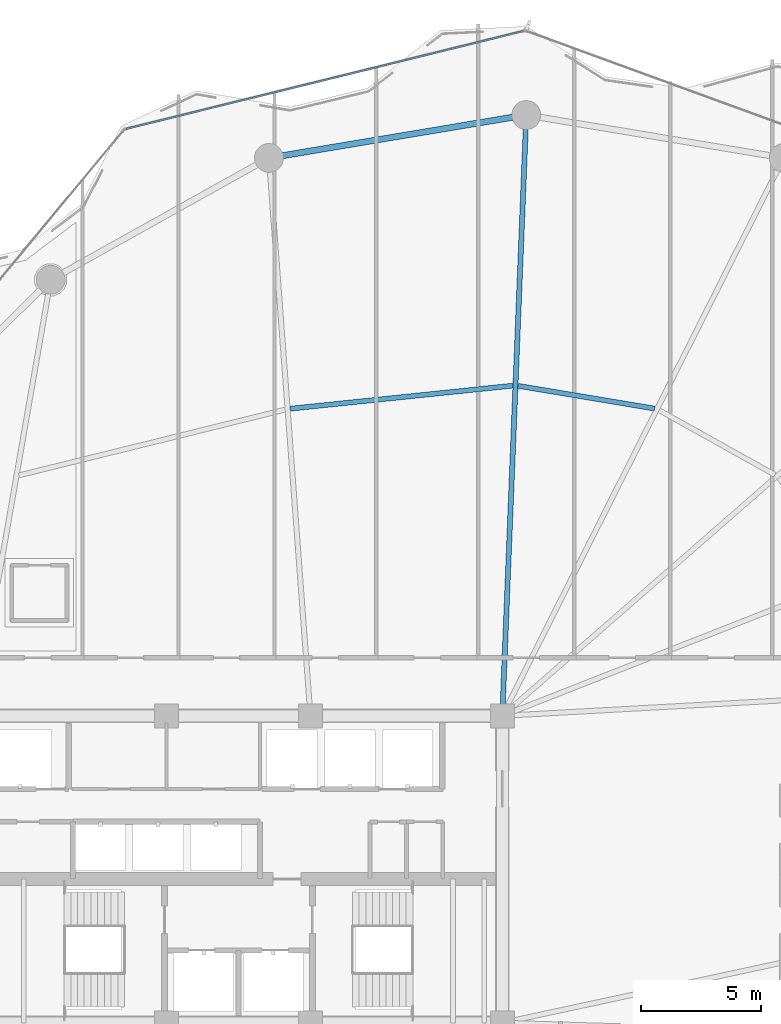
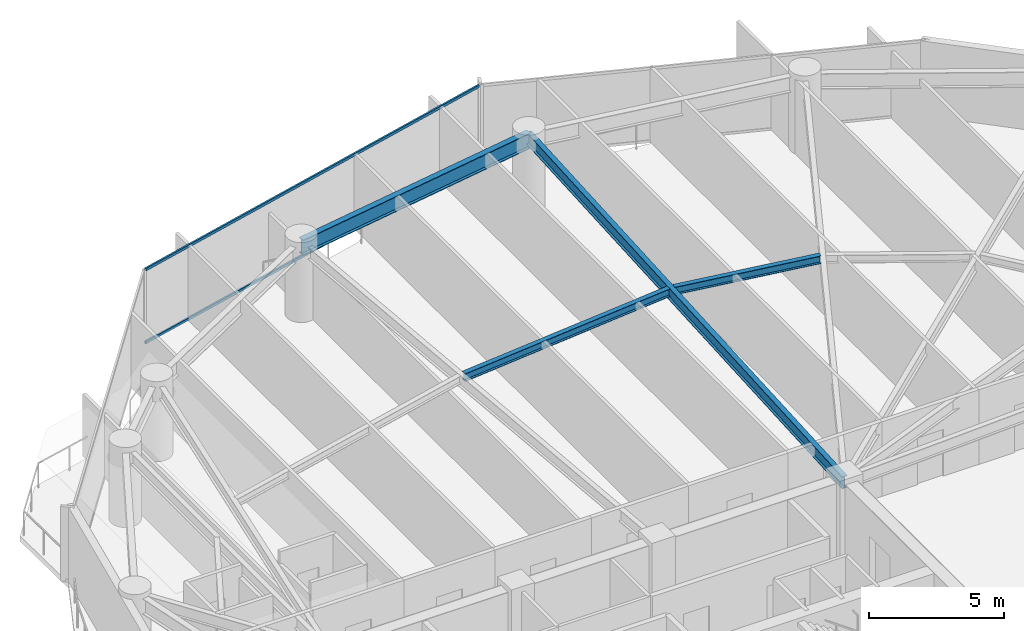
# One storey, part 18 of 28: 4 beams, 2 members, 1 element without a shape of its own.
"""IFC4 building model written with IfcOpenShell, lengths in metres."""

from ifc_helpers import new_model, si_unit, direction, frame, origin, origin_2d, place, context, subcontext, project, spatial, hollow_rectangle, i_section, extrude, material, layer, layer_set, material_profile, profile_set, type_object, element, aggregate, save


model = new_model("IFC4")

# Units and contexts
model_context = context("Model", 3, precision=1e-05, world=origin(), true_north=direction((0.0, 1.0)))
body_context = subcontext(model_context, "Body", "Model", "MODEL_VIEW")
ifc_project = project(units=[si_unit("LENGTHUNIT", "METRE"), si_unit("AREAUNIT", "SQUARE_METRE"), si_unit("VOLUMEUNIT", "CUBIC_METRE"), si_unit("PLANEANGLEUNIT", "RADIAN"), si_unit("MASSUNIT", "GRAM", prefix="KILO")], contexts=[model_context])

# Site, building, storey
site_placement = place(None, origin())
site = spatial("IfcSite", under=ifc_project, at=site_placement, CompositionType="ELEMENT")
building_placement = place(site_placement, origin())
building = spatial("IfcBuilding", under=site, at=building_placement, Name="Kazevale Care Tower and Concert Hall", CompositionType="ELEMENT")
storey_placement = place(building_placement, frame((0.0, 0.0, 138.60009765625)))
storey = spatial("IfcBuildingStorey", under=building, at=storey_placement, Name="L36", CompositionType="ELEMENT", Elevation=138.60009765625)

# Curtain wall, members
ifc_material_1 = material(Name="Aluminium 6063-T6 and Low-E Glass", Category="aluminium")
ifc_layer = layer(ifc_material_1, 0.179931640625)
ifc_layer_set = layer_set([ifc_layer], Name="Aluminium 6063-T6 and Low-E Glass")
curtain_wall_type = type_object("IfcCurtainWallType", Name="Convex Recessed Sunroom Curtain Wall CW-3", PredefinedType="NOTDEFINED", material=ifc_layer_set)
curtain_wall_placement = place(storey_placement, origin())
curtain_wall = element("IfcCurtainWall", 1, at=curtain_wall_placement, inside=storey, type_object=curtain_wall_type, Name="cw:L36:f15", PredefinedType="NOTDEFINED")
ifc_material_2 = material(Name="Aluminium 6063-T6", Category="aluminium")
ifc_material_profile_1 = material_profile(ifc_material_2, hollow_rectangle(XDim=0.074951171875, YDim=0.1201171875, WallThickness=0.00390625, at=origin_2d()), Name="ALU75x120x4")
ifc_profile_set_1 = profile_set([ifc_material_profile_1], Name="Aluminium 6063-T6")
member_type = type_object("IfcMemberType", Name="CW-3 Transom ALU75x120x4", PredefinedType="USERDEFINED", material=ifc_profile_set_1)
member_1_placement = place(storey_placement, frame((28.312744140625, 60.869873046875, 0.037353515625), z_axis=(0.970998321945, 0.239086299857, 0.0), x_axis=(-0.239086299857, 0.970998321945, 0.0)))
member_1 = element("IfcMember", 2, at=member_1_placement, type_object=member_type, Name="CW-3 transom 1.1", ObjectType="TRANSOM", PredefinedType="USERDEFINED", context=body_context, shape_type="SweptSolid", body=[
    extrude(hollow_rectangle(XDim=0.074951171875, YDim=0.1201171875, WallThickness=0.00390625, at=origin_2d()), origin(), (0.0, 0.0, 1.0), 17.061279296875),
])
member_2_placement = place(storey_placement, frame((28.312744140625, 60.869873046875, 3.322509765625), z_axis=(0.970998321945, 0.239086299857, 0.0), x_axis=(-0.239086299857, 0.970998321945, 0.0)))
member_2 = element("IfcMember", 3, at=member_2_placement, type_object=member_type, Name="CW-3 transom 1.2", ObjectType="TRANSOM", PredefinedType="USERDEFINED", context=body_context, shape_type="SweptSolid", body=[
    extrude(hollow_rectangle(XDim=0.074951171875, YDim=0.1201171875, WallThickness=0.00390625, at=origin_2d()), origin(), (0.0, 0.0, 1.0), 17.061279296875),
])
aggregate(curtain_wall, [member_1, member_2])

# Beams
ifc_material_3 = material(Name="Steel ASTM A572 Gr 50", Category="steel")
ifc_material_profile_2 = material_profile(ifc_material_3, i_section(OverallWidth=0.2119140625, OverallDepth=0.5439453125, WebThickness=0.01318359375, FlangeThickness=0.021240234375, at=origin_2d()), Name="W530x123")
ifc_profile_set_2 = profile_set([ifc_material_profile_2], Name="Steel ASTM A572 Gr 50")
beam_type_1 = type_object("IfcBeamType", Name="Radial Floor Girder W530x123", PredefinedType="BEAM", material=ifc_profile_set_2)
beam_1_placement = place(storey_placement, frame((44.0, 36.39990234375, 3.087890625), z_axis=(0.039888311255, 0.99920414462, 0.0), x_axis=(-0.99920414462, 0.039888311255, 0.0)))
element("IfcBeam", 4, at=beam_1_placement, inside=storey, type_object=beam_type_1, Name="beam:L36:rad:05", PredefinedType="BEAM", context=body_context, shape_type="SweptSolid", body=[
    extrude(i_section(OverallWidth=0.2119140625, OverallDepth=0.5439453125, WebThickness=0.01318359375, FlangeThickness=0.021240234375, at=origin_2d()), origin(), (0.0, 0.0, 1.0), 25.070068359375),
])
ifc_material_profile_3 = material_profile(ifc_material_3, i_section(OverallWidth=0.205078125, OverallDepth=0.35400390625, WebThickness=0.009521484375, FlangeThickness=0.016845703125, at=origin_2d()), Name="W360x79")
ifc_profile_set_3 = profile_set([ifc_material_profile_3], Name="Steel ASTM A572 Gr 50")
beam_type_2 = type_object("IfcBeamType", Name="Secondary Floor Joist W360x79", PredefinedType="JOIST", material=ifc_profile_set_3)
beam_2_placement = place(storey_placement, frame((50.347900390625, 49.2099609375, 3.182861328125), z_axis=(-0.986366476547, 0.164563586324, 0.0), x_axis=(-0.164563586324, -0.986366476547, 0.0)))
element("IfcBeam", 5, at=beam_2_placement, inside=storey, type_object=beam_type_2, Name="beam:L36:joist:04", PredefinedType="JOIST", context=body_context, shape_type="SweptSolid", body=[
    extrude(i_section(OverallWidth=0.205078125, OverallDepth=0.35400390625, WebThickness=0.009521484375, FlangeThickness=0.016845703125, at=origin_2d()), origin(), (0.0, 0.0, 1.0), 5.7724609375),
])
beam_3_placement = place(storey_placement, frame((44.446044921875, 50.1669921875, 3.182861328125), z_axis=(-0.994674810104, -0.10306319491, 0.0), x_axis=(0.10306319491, -0.994674810104, 0.0)))
element("IfcBeam", 6, at=beam_3_placement, inside=storey, type_object=beam_type_2, Name="beam:L36:joist:05", PredefinedType="JOIST", context=body_context, shape_type="SweptSolid", body=[
    extrude(i_section(OverallWidth=0.205078125, OverallDepth=0.35400390625, WebThickness=0.009521484375, FlangeThickness=0.016845703125, at=origin_2d()), origin(), (0.0, 0.0, 1.0), 9.3427734375),
])
ifc_material_profile_4 = material_profile(ifc_material_3, i_section(OverallWidth=0.256103515625, OverallDepth=0.693115234375, WebThickness=0.014404296875, FlangeThickness=0.023681640625, at=origin_2d()), Name="W690x170")
ifc_profile_set_4 = profile_set([ifc_material_profile_4], Name="Steel ASTM A572 Gr 50")
beam_type_3 = type_object("IfcBeamType", Name="Waist Ring Beam W690x170", PredefinedType="BEAM", material=ifc_profile_set_4)
beam_4_placement = place(storey_placement, frame((45.0, 61.449951171875, 3.013427734375), z_axis=(-0.986368436187, -0.164551840139, 0.0), x_axis=(0.164551840139, -0.986368436187, 0.0)))
element("IfcBeam", 7, at=beam_4_placement, inside=storey, type_object=beam_type_3, Name="beam:L36:ring:05", PredefinedType="BEAM", context=body_context, shape_type="SweptSolid", body=[
    extrude(i_section(OverallWidth=0.256103515625, OverallDepth=0.693115234375, WebThickness=0.014404296875, FlangeThickness=0.023681640625, at=origin_2d()), origin(), (0.0, 0.0, 1.0), 10.878173828125),
])

save(model, "model.ifc")
